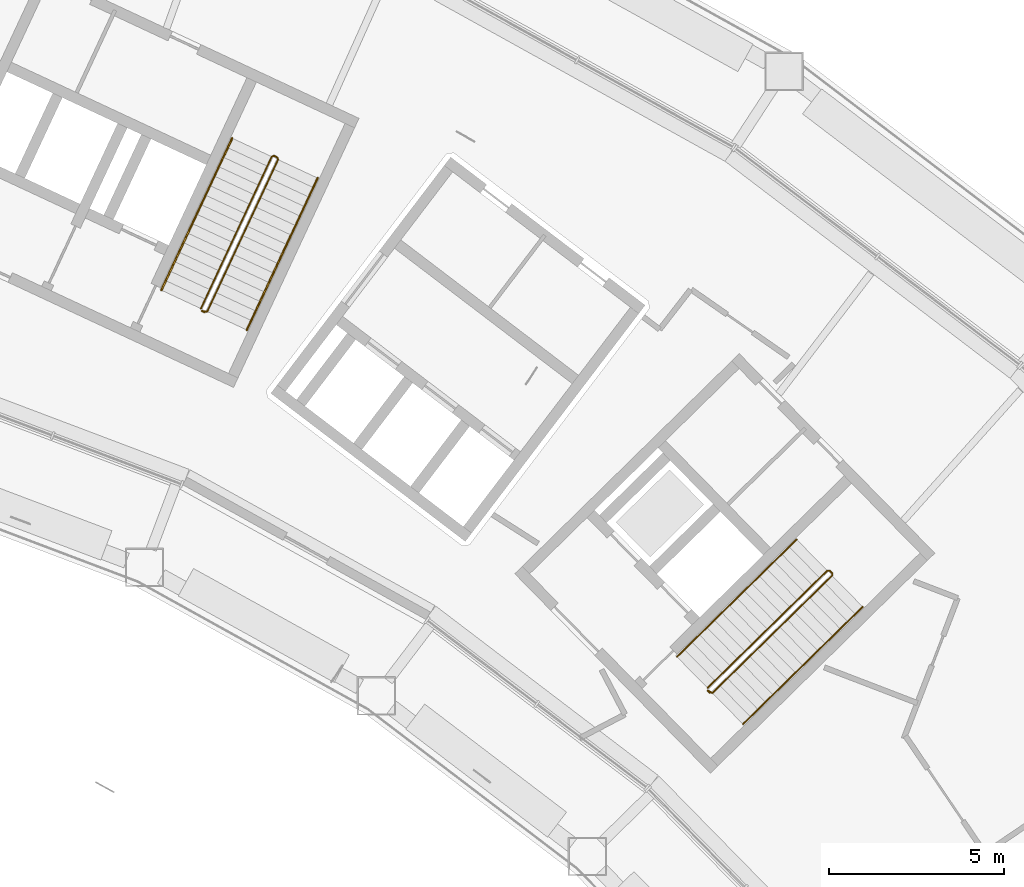
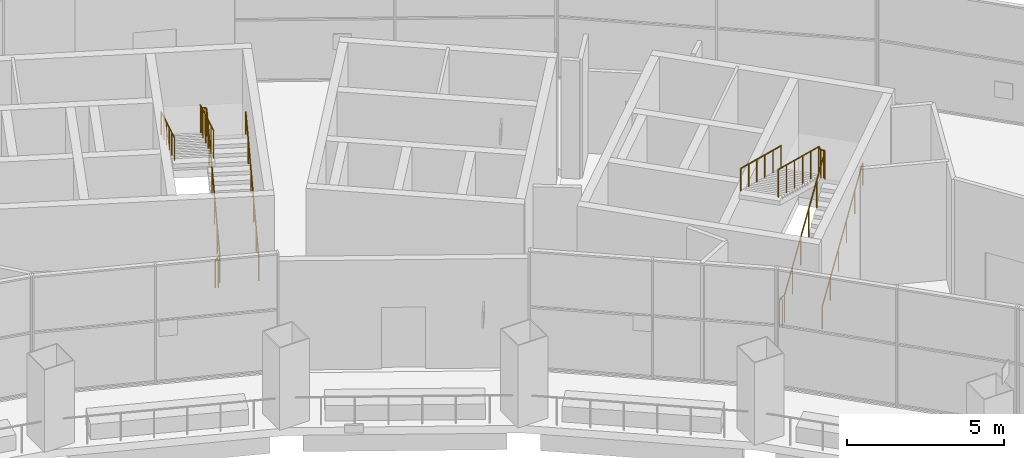
# One storey, part 27 of 28: 6 railings.
"""IFC4 building model written with IfcOpenShell, lengths in metres."""

from ifc_helpers import new_model, si_unit, direction, frame, origin, origin_2d, place, context, subcontext, project, spatial, circle, extrude, material, type_object, element, save


model = new_model("IFC4")

# Units and contexts
model_context = context("Model", 3, precision=1e-05, world=origin(), true_north=direction((0.0, 1.0)))
body_context = subcontext(model_context, "Body", "Model", "MODEL_VIEW")
ifc_project = project(units=[si_unit("LENGTHUNIT", "METRE"), si_unit("AREAUNIT", "SQUARE_METRE"), si_unit("VOLUMEUNIT", "CUBIC_METRE"), si_unit("PLANEANGLEUNIT", "RADIAN"), si_unit("MASSUNIT", "GRAM", prefix="KILO")], contexts=[model_context])

# Site, building, storey
site_placement = place(None, origin())
site = spatial("IfcSite", under=ifc_project, at=site_placement, CompositionType="ELEMENT")
building_placement = place(site_placement, origin())
building = spatial("IfcBuilding", under=site, at=building_placement, Name="Tuul Gate Civic Tower", CompositionType="ELEMENT")
storey_placement = place(building_placement, frame((0.0, 0.0, 128.699951171875)))
storey = spatial("IfcBuildingStorey", under=building, at=storey_placement, Name="Sky garden level 1", CompositionType="ELEMENT", Elevation=128.699951171875)

# Railings
ifc_material_1 = material(Name="Painted steel", Category="steel")
railing_type_1 = type_object("IfcRailingType", Name="Stair guard", PredefinedType="GUARDRAIL", material=ifc_material_1)
railing_1_placement = place(storey_placement, frame((48.10546875, -16.134765625, 0.0)))
element("IfcRailing", 1, at=railing_1_placement, inside=storey, type_object=railing_type_1, Name="Sky garden level 1 ST-3 stair guard 1", PredefinedType="GUARDRAIL", context=body_context, shape_type="SweptSolid", body=[
    extrude(circle(Radius=0.02392578125, at=origin_2d()), frame((0.0, 0.0, 1.076171875), z_axis=(-0.698506948293, 0.715603272202, 0.0), x_axis=(-0.715603272202, -0.698506948293, 0.0)), (0.0, 0.0, 1.0), 0.099853515625),
    extrude(circle(Radius=0.02392578125, at=origin_2d()), frame((-0.06982421875, 0.071533203125, 1.076171875), z_axis=(0.650940547805, -0.334511114844, 0.681453385984), x_axis=(0.457068866502, 0.889431307788, 0.0)), (0.0, 0.0, 1.0), 0.216064453125),
    extrude(circle(Radius=0.02392578125, at=origin_2d()), frame((0.07080078125, -0.000732421875, 1.22314453125), z_axis=(0.641227236389, 0.628576243192, 0.440135817456), x_axis=(-0.700027167466, 0.714116212398, 0.0)), (0.0, 0.0, 1.0), 5.345703125),
    extrude(circle(Radius=0.02392578125, at=origin_2d()), frame((3.49853515625, 3.359375, 3.576171875), z_axis=(0.010344274102, 0.999946496565, 0.0), x_axis=(-0.999946496565, 0.010344274102, 0.0)), (0.0, 0.0, 1.0), 0.07080078125),
    extrude(circle(Radius=0.02392578125, at=origin_2d()), frame((3.499267578125, 3.43017578125, 3.576171875), z_axis=(-0.700974368541, 0.713186465554, 0.0), x_axis=(-0.713186465554, -0.700974368541, 0.0)), (0.0, 0.0, 1.0), 0.099853515625),
    extrude(circle(Radius=0.02392578125, at=origin_2d()), frame((3.42919921875, 3.50146484375, 3.576171875), z_axis=(-0.432191844207, 0.004486420528, 0.901770526149), x_axis=(-0.010380063588, -0.999946125689, 0.0)), (0.0, 0.0, 1.0), 0.163330078125),
    extrude(circle(Radius=0.02392578125, at=origin_2d()), frame((3.358642578125, 3.502197265625, 3.72314453125), z_axis=(-0.641254127823, -0.628557834999, 0.440122927842), x_axis=(0.700001741505, -0.714141135833, 0.0)), (0.0, 0.0, 1.0), 5.345703125),
    extrude(circle(Radius=0.02099609375, at=origin_2d()), origin(), (0.0, 0.0, 1.0), 1.052001953125),
    extrude(circle(Radius=0.02099609375, at=origin_2d()), frame((-0.06982421875, 0.071533203125, 0.0)), (0.0, 0.0, 1.0), 1.052001953125),
    extrude(circle(Radius=0.02099609375, at=origin_2d()), frame((0.07080078125, -0.000732421875, 0.147216796875)), (0.0, 0.0, 1.0), 1.052001953125),
    extrude(circle(Radius=0.02099609375, at=origin_2d()), frame((0.75634765625, 0.67138671875, 0.61767578125)), (0.0, 0.0, 1.0), 1.052001953125),
    extrude(circle(Radius=0.02099609375, at=origin_2d()), frame((1.44189453125, 1.34326171875, 1.08837890625)), (0.0, 0.0, 1.0), 1.052001953125),
    extrude(circle(Radius=0.02099609375, at=origin_2d()), frame((2.12744140625, 2.015380859375, 1.558837890625)), (0.0, 0.0, 1.0), 1.052001953125),
    extrude(circle(Radius=0.02099609375, at=origin_2d()), frame((2.81298828125, 2.687255859375, 2.029541015625)), (0.0, 0.0, 1.0), 1.052001953125),
    extrude(circle(Radius=0.02099609375, at=origin_2d()), frame((3.49853515625, 3.359375, 2.5)), (0.0, 0.0, 1.0), 1.052001953125),
    extrude(circle(Radius=0.02099609375, at=origin_2d()), frame((3.499267578125, 3.43017578125, 2.5)), (0.0, 0.0, 1.0), 1.052001953125),
    extrude(circle(Radius=0.02099609375, at=origin_2d()), frame((3.42919921875, 3.50146484375, 2.5)), (0.0, 0.0, 1.0), 1.052001953125),
    extrude(circle(Radius=0.02099609375, at=origin_2d()), frame((3.358642578125, 3.502197265625, 2.647216796875)), (0.0, 0.0, 1.0), 1.052001953125),
    extrude(circle(Radius=0.02099609375, at=origin_2d()), frame((2.673095703125, 2.830078125, 3.11767578125)), (0.0, 0.0, 1.0), 1.052001953125),
    extrude(circle(Radius=0.02099609375, at=origin_2d()), frame((1.987548828125, 2.158203125, 3.58837890625)), (0.0, 0.0, 1.0), 1.052001953125),
    extrude(circle(Radius=0.02099609375, at=origin_2d()), frame((1.3017578125, 1.486083984375, 4.058837890625)), (0.0, 0.0, 1.0), 1.052001953125),
    extrude(circle(Radius=0.02099609375, at=origin_2d()), frame((0.6162109375, 0.814208984375, 4.529541015625)), (0.0, 0.0, 1.0), 1.052001953125),
    extrude(circle(Radius=0.02099609375, at=origin_2d()), frame((-0.0693359375, 0.14208984375, 5.0)), (0.0, 0.0, 1.0), 1.052001953125),
])
railing_2_placement = place(storey_placement, frame((33.645751953125, -5.238525390625, 0.0)))
element("IfcRailing", 2, at=railing_2_placement, inside=storey, type_object=railing_type_1, Name="Sky garden level 1 ST-4 stair guard 1", PredefinedType="GUARDRAIL", context=body_context, shape_type="SweptSolid", body=[
    extrude(circle(Radius=0.02392578125, at=origin_2d()), frame((0.0, 0.0, 1.076171875), z_axis=(-0.906307919131, 0.422617978463, 0.0), x_axis=(-0.422617978463, -0.906307919131, 0.0)), (0.0, 0.0, 1.0), 0.099853515625),
    extrude(circle(Radius=0.02392578125, at=origin_2d()), frame((-0.090576171875, 0.042236328125, 1.076171875), z_axis=(0.726874385414, -0.083652728648, 0.681656694253), x_axis=(0.114330889033, 0.993442724979, 0.0)), (0.0, 0.0, 1.0), 0.216064453125),
    extrude(circle(Radius=0.02392578125, at=origin_2d()), frame((0.06640625, 0.024169921875, 1.22314453125), z_axis=(0.379439301438, 0.813821486798, 0.440136801632), x_axis=(-0.90632992014, 0.422570793901, 0.0)), (0.0, 0.0, 1.0), 5.345458984375),
    extrude(circle(Radius=0.02392578125, at=origin_2d()), frame((2.0947265625, 4.37451171875, 3.576171875), z_axis=(-0.342020437038, 0.939692513883, 0.0), x_axis=(-0.939692513883, -0.342020437038, 0.0)), (0.0, 0.0, 1.0), 0.070556640625),
    extrude(circle(Radius=0.02392578125, at=origin_2d()), frame((2.070556640625, 4.44091796875, 3.576171875), z_axis=(-0.906307919131, 0.422617978463, 0.0), x_axis=(-0.422617978463, -0.906307919131, 0.0)), (0.0, 0.0, 1.0), 0.099853515625),
    extrude(circle(Radius=0.02392578125, at=origin_2d()), frame((1.97998046875, 4.483154296875, 3.576171875), z_axis=(-0.406652855547, -0.148009679041, 0.901513499614), x_axis=(0.342020437038, -0.939692513883, 0.0)), (0.0, 0.0, 1.0), 0.163330078125),
    extrude(circle(Radius=0.02392578125, at=origin_2d()), frame((1.91357421875, 4.458984375, 3.72314453125), z_axis=(-0.379439301438, -0.813821486798, 0.440136801632), x_axis=(0.90632992014, -0.422570793901, 0.0)), (0.0, 0.0, 1.0), 5.345458984375),
    extrude(circle(Radius=0.02099609375, at=origin_2d()), origin(), (0.0, 0.0, 1.0), 1.052001953125),
    extrude(circle(Radius=0.02099609375, at=origin_2d()), frame((-0.090576171875, 0.042236328125, 0.0)), (0.0, 0.0, 1.0), 1.052001953125),
    extrude(circle(Radius=0.02099609375, at=origin_2d()), frame((0.06640625, 0.024169921875, 0.147216796875)), (0.0, 0.0, 1.0), 1.052001953125),
    extrude(circle(Radius=0.02099609375, at=origin_2d()), frame((0.47216796875, 0.894287109375, 0.61767578125)), (0.0, 0.0, 1.0), 1.052001953125),
    extrude(circle(Radius=0.02099609375, at=origin_2d()), frame((0.877685546875, 1.764404296875, 1.08837890625)), (0.0, 0.0, 1.0), 1.052001953125),
    extrude(circle(Radius=0.02099609375, at=origin_2d()), frame((1.283447265625, 2.63427734375, 1.558837890625)), (0.0, 0.0, 1.0), 1.052001953125),
    extrude(circle(Radius=0.02099609375, at=origin_2d()), frame((1.68896484375, 3.50439453125, 2.029541015625)), (0.0, 0.0, 1.0), 1.052001953125),
    extrude(circle(Radius=0.02099609375, at=origin_2d()), frame((2.0947265625, 4.37451171875, 2.5)), (0.0, 0.0, 1.0), 1.052001953125),
    extrude(circle(Radius=0.02099609375, at=origin_2d()), frame((2.070556640625, 4.44091796875, 2.5)), (0.0, 0.0, 1.0), 1.052001953125),
    extrude(circle(Radius=0.02099609375, at=origin_2d()), frame((1.97998046875, 4.483154296875, 2.5)), (0.0, 0.0, 1.0), 1.052001953125),
    extrude(circle(Radius=0.02099609375, at=origin_2d()), frame((1.91357421875, 4.458984375, 2.647216796875)), (0.0, 0.0, 1.0), 1.052001953125),
    extrude(circle(Radius=0.02099609375, at=origin_2d()), frame((1.5078125, 3.5888671875, 3.11767578125)), (0.0, 0.0, 1.0), 1.052001953125),
    extrude(circle(Radius=0.02099609375, at=origin_2d()), frame((1.102294921875, 2.71875, 3.58837890625)), (0.0, 0.0, 1.0), 1.052001953125),
    extrude(circle(Radius=0.02099609375, at=origin_2d()), frame((0.696533203125, 1.848876953125, 4.058837890625)), (0.0, 0.0, 1.0), 1.052001953125),
    extrude(circle(Radius=0.02099609375, at=origin_2d()), frame((0.291015625, 0.978759765625, 4.529541015625)), (0.0, 0.0, 1.0), 1.052001953125),
    extrude(circle(Radius=0.02099609375, at=origin_2d()), frame((-0.11474609375, 0.108642578125, 5.0)), (0.0, 0.0, 1.0), 1.052001953125),
])
ifc_material_2 = material(Name="Painted steel", Category="steel")
railing_type_2 = type_object("IfcRailingType", Name="Stair handrail", PredefinedType="HANDRAIL", material=ifc_material_2)
railing_3_placement = place(storey_placement, frame((49.05126953125, -17.028076171875, 0.147216796875)))
element("IfcRailing", 3, at=railing_3_placement, inside=storey, type_object=railing_type_2, Name="Sky garden level 1 ST-3 stair handrail 1", PredefinedType="HANDRAIL", context=body_context, shape_type="SweptSolid", body=[
    extrude(circle(Radius=0.02392578125, at=origin_2d()), frame((0.0, 0.0, 0.8759765625), z_axis=(0.641227236389, 0.628576243192, 0.440135817456), x_axis=(-0.700027167466, 0.714116212398, 0.0)), (0.0, 0.0, 1.0), 5.345703125),
    extrude(circle(Radius=0.02099609375, at=origin_2d()), origin(), (0.0, 0.0, 1.0), 0.851806640625),
    extrude(circle(Radius=0.02099609375, at=origin_2d()), frame((0.685546875, 0.672119140625, 0.470458984375)), (0.0, 0.0, 1.0), 0.851806640625),
    extrude(circle(Radius=0.02099609375, at=origin_2d()), frame((1.37109375, 1.343994140625, 0.941162109375)), (0.0, 0.0, 1.0), 0.851806640625),
    extrude(circle(Radius=0.02099609375, at=origin_2d()), frame((2.056640625, 2.01611328125, 1.41162109375)), (0.0, 0.0, 1.0), 0.851806640625),
    extrude(circle(Radius=0.02099609375, at=origin_2d()), frame((2.7421875, 2.68798828125, 1.88232421875)), (0.0, 0.0, 1.0), 0.851806640625),
    extrude(circle(Radius=0.02099609375, at=origin_2d()), frame((3.427734375, 3.360107421875, 2.352783203125)), (0.0, 0.0, 1.0), 0.851806640625),
])
railing_4_placement = place(storey_placement, frame((50.589111328125, -11.73974609375, 2.647216796875)))
element("IfcRailing", 4, at=railing_4_placement, inside=storey, type_object=railing_type_2, Name="Sky garden level 1 ST-3 stair handrail 2", PredefinedType="HANDRAIL", context=body_context, shape_type="SweptSolid", body=[
    extrude(circle(Radius=0.02392578125, at=origin_2d()), frame((0.0, 0.0, 0.8759765625), z_axis=(-0.641254127823, -0.628557834999, 0.440122927842), x_axis=(0.700001741505, -0.714141135833, 0.0)), (0.0, 0.0, 1.0), 5.345703125),
    extrude(circle(Radius=0.02099609375, at=origin_2d()), origin(), (0.0, 0.0, 1.0), 0.851806640625),
    extrude(circle(Radius=0.02099609375, at=origin_2d()), frame((-0.685546875, -0.672119140625, 0.470458984375)), (0.0, 0.0, 1.0), 0.851806640625),
    extrude(circle(Radius=0.02099609375, at=origin_2d()), frame((-1.37109375, -1.343994140625, 0.941162109375)), (0.0, 0.0, 1.0), 0.851806640625),
    extrude(circle(Radius=0.02099609375, at=origin_2d()), frame((-2.056884765625, -2.01611328125, 1.41162109375)), (0.0, 0.0, 1.0), 0.851806640625),
    extrude(circle(Radius=0.02099609375, at=origin_2d()), frame((-2.742431640625, -2.68798828125, 1.88232421875)), (0.0, 0.0, 1.0), 0.851806640625),
    extrude(circle(Radius=0.02099609375, at=origin_2d()), frame((-3.427978515625, -3.360107421875, 2.352783203125)), (0.0, 0.0, 1.0), 0.851806640625),
])
railing_5_placement = place(storey_placement, frame((34.844970703125, -5.74267578125, 0.147216796875)))
element("IfcRailing", 5, at=railing_5_placement, inside=storey, type_object=railing_type_2, Name="Sky garden level 1 ST-4 stair handrail 1", PredefinedType="HANDRAIL", context=body_context, shape_type="SweptSolid", body=[
    extrude(circle(Radius=0.02392578125, at=origin_2d()), frame((0.0, 0.0, 0.8759765625), z_axis=(0.379478396454, 0.813807383128, 0.440129173983), x_axis=(-0.906310439604, 0.422612573246, 0.0)), (0.0, 0.0, 1.0), 5.345703125),
    extrude(circle(Radius=0.02099609375, at=origin_2d()), origin(), (0.0, 0.0, 1.0), 0.851806640625),
    extrude(circle(Radius=0.02099609375, at=origin_2d()), frame((0.40576171875, 0.8701171875, 0.470458984375)), (0.0, 0.0, 1.0), 0.851806640625),
    extrude(circle(Radius=0.02099609375, at=origin_2d()), frame((0.8115234375, 1.740234375, 0.941162109375)), (0.0, 0.0, 1.0), 0.851806640625),
    extrude(circle(Radius=0.02099609375, at=origin_2d()), frame((1.217041015625, 2.610107421875, 1.41162109375)), (0.0, 0.0, 1.0), 0.851806640625),
    extrude(circle(Radius=0.02099609375, at=origin_2d()), frame((1.622802734375, 3.480224609375, 1.88232421875)), (0.0, 0.0, 1.0), 0.851806640625),
    extrude(circle(Radius=0.02099609375, at=origin_2d()), frame((2.028564453125, 4.350341796875, 2.352783203125)), (0.0, 0.0, 1.0), 0.851806640625),
])
railing_6_placement = place(storey_placement, frame((34.42626953125, -0.251220703125, 2.647216796875)))
element("IfcRailing", 6, at=railing_6_placement, inside=storey, type_object=railing_type_2, Name="Sky garden level 1 ST-4 stair handrail 2", PredefinedType="HANDRAIL", context=body_context, shape_type="SweptSolid", body=[
    extrude(circle(Radius=0.02392578125, at=origin_2d()), frame((0.0, 0.0, 0.8759765625), z_axis=(-0.379439301438, -0.813821486798, 0.440136801632), x_axis=(0.90632992014, -0.422570793901, 0.0)), (0.0, 0.0, 1.0), 5.345458984375),
    extrude(circle(Radius=0.02099609375, at=origin_2d()), origin(), (0.0, 0.0, 1.0), 0.851806640625),
    extrude(circle(Radius=0.02099609375, at=origin_2d()), frame((-0.40576171875, -0.8701171875, 0.470458984375)), (0.0, 0.0, 1.0), 0.851806640625),
    extrude(circle(Radius=0.02099609375, at=origin_2d()), frame((-0.811279296875, -1.740234375, 0.941162109375)), (0.0, 0.0, 1.0), 0.851806640625),
    extrude(circle(Radius=0.02099609375, at=origin_2d()), frame((-1.217041015625, -2.610107421875, 1.41162109375)), (0.0, 0.0, 1.0), 0.851806640625),
    extrude(circle(Radius=0.02099609375, at=origin_2d()), frame((-1.62255859375, -3.480224609375, 1.88232421875)), (0.0, 0.0, 1.0), 0.851806640625),
    extrude(circle(Radius=0.02099609375, at=origin_2d()), frame((-2.0283203125, -4.350341796875, 2.352783203125)), (0.0, 0.0, 1.0), 0.851806640625),
])

save(model, "model.ifc")
